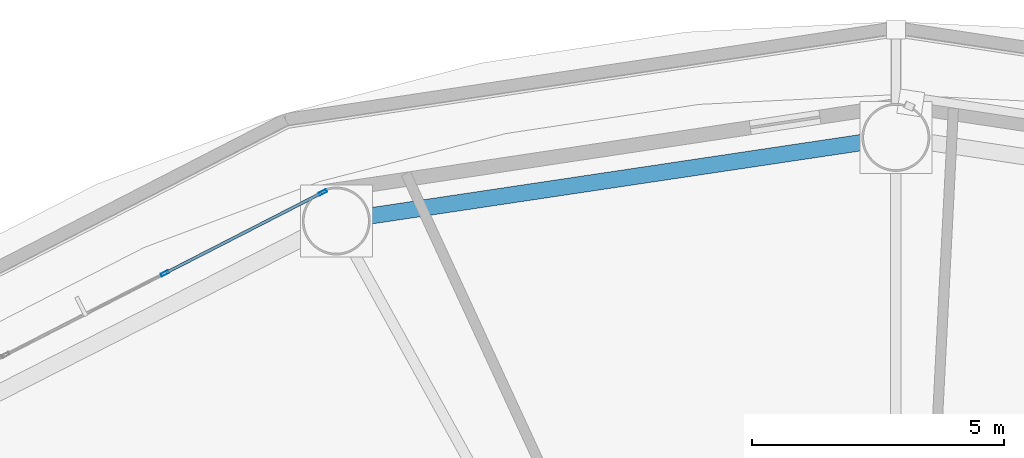
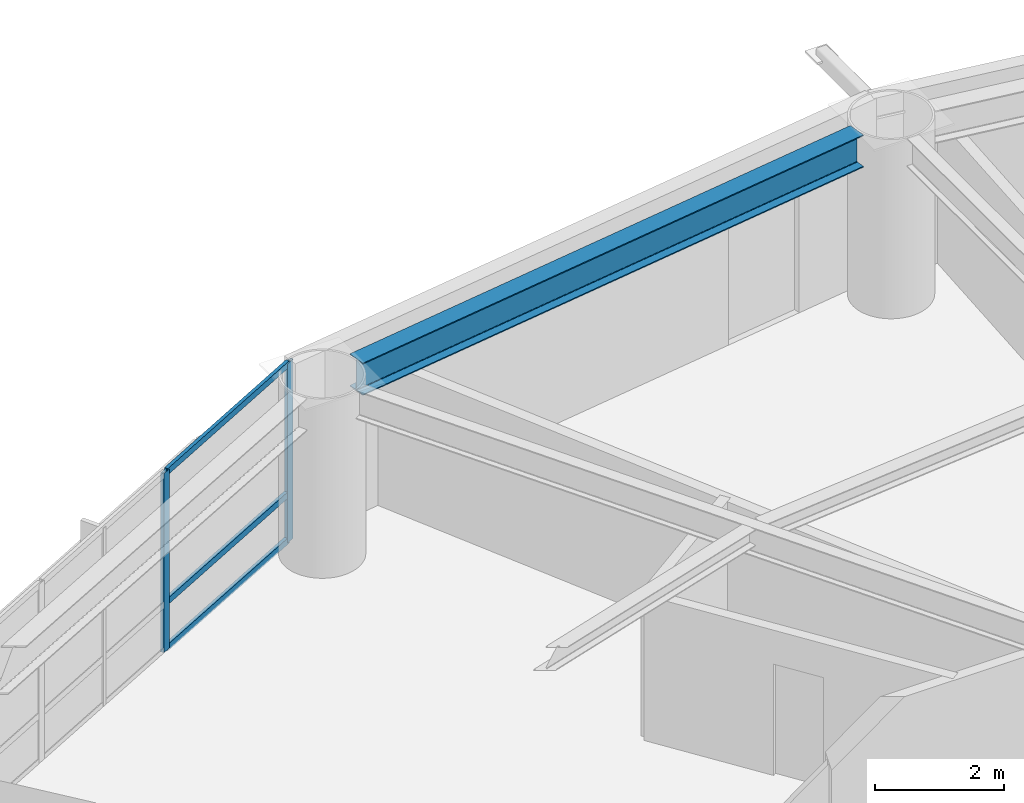
# One storey, part 10 of 25: 5 members, 1 beam, 1 element without a shape of its own.
"""IFC4 building model written with IfcOpenShell, lengths in metres."""

from ifc_helpers import new_model, si_unit, direction, frame, origin, origin_2d, place, context, subcontext, project, spatial, hollow_rectangle, i_section, extrude, material, layer, layer_set, material_profile, profile_set, type_object, element, aggregate, save


model = new_model("IFC4")

# Units and contexts
model_context = context("Model", 3, precision=1e-05, world=origin(), true_north=direction((0.0, 1.0)))
body_context = subcontext(model_context, "Body", "Model", "MODEL_VIEW")
ifc_project = project(units=[si_unit("LENGTHUNIT", "METRE"), si_unit("AREAUNIT", "SQUARE_METRE"), si_unit("VOLUMEUNIT", "CUBIC_METRE"), si_unit("PLANEANGLEUNIT", "RADIAN"), si_unit("MASSUNIT", "GRAM", prefix="KILO")], contexts=[model_context])

# Site, building, storey
site_placement = place(None, origin())
site = spatial("IfcSite", under=ifc_project, at=site_placement, CompositionType="ELEMENT")
building_placement = place(site_placement, origin())
building = spatial("IfcBuilding", under=site, at=building_placement, Name="Sarneth Arch Tower", CompositionType="ELEMENT")
storey_placement = place(building_placement, frame((0.0, 0.0, 84.0)))
storey = spatial("IfcBuildingStorey", under=building, at=storey_placement, Name="L20", CompositionType="ELEMENT", Elevation=84.0)

# Beam
ifc_material_1 = material(Name="Steel S355", Category="steel")
ifc_material_profile_1 = material_profile(ifc_material_1, i_section(OverallWidth=0.323974609375, OverallDepth=0.611083984375, WebThickness=0.0126953125, FlangeThickness=0.01904296875, FilletRadius=0.01904296875, at=origin_2d()), Name="W610x155")
ifc_profile_set_1 = profile_set([ifc_material_profile_1], Name="Steel S355")
beam_type = type_object("IfcBeamType", Name="BM-SPAN-610B", PredefinedType="SPANDREL", material=ifc_profile_set_1)
beam_placement = place(storey_placement, frame((47.33251953125, 63.7001953125, 3.074462890625), z_axis=(-0.989029828744, -0.147715936359, 0.0), x_axis=(0.147715936359, -0.989029828744, 0.0)))
element("IfcBeam", 1, at=beam_placement, inside=storey, type_object=beam_type, Name="L20 Perimeter spandrel beam 05", PredefinedType="SPANDREL", context=body_context, shape_type="SweptSolid", body=[
    extrude(i_section(OverallWidth=0.323974609375, OverallDepth=0.611083984375, WebThickness=0.0126953125, FlangeThickness=0.01904296875, FilletRadius=0.01904296875, at=origin_2d()), origin(), (0.0, 0.0, 1.0), 9.883544921875),
])

# Curtain wall, members
ifc_material_2 = material(Name="Anodised aluminium Type AA25 and solar-control low-e laminated IGU", Category="aluminium")
ifc_layer = layer(ifc_material_2, 0.159912109375)
ifc_layer_set = layer_set([ifc_layer], Name="Anodised aluminium Type AA25 and solar-control low-e laminated IGU")
curtain_wall_type = type_object("IfcCurtainWallType", Name="CW-HOTEL-MID", PredefinedType="NOTDEFINED", material=ifc_layer_set)
curtain_wall_placement = place(storey_placement, origin())
curtain_wall = element("IfcCurtainWall", 2, at=curtain_wall_placement, inside=storey, type_object=curtain_wall_type, Name="L20 Unitised curtain wall facet 06", PredefinedType="NOTDEFINED")
ifc_material_3 = material(Name="Anodised Aluminium 6063-T6", Category="aluminium")
ifc_material_profile_2 = material_profile(ifc_material_3, hollow_rectangle(XDim=0.06005859375, YDim=0.159912109375, WallThickness=0.00390625, at=origin_2d()), Name="AL-MULL-160x60x4")
ifc_profile_set_2 = profile_set([ifc_material_profile_2], Name="Anodised Aluminium 6063-T6")
member_type_1 = type_object("IfcMemberType", Name="CW-MULLION", PredefinedType="MULLION", material=ifc_profile_set_2)
member_1_placement = place(storey_placement, frame((36.6220703125, 62.708984375, 0.0), z_axis=(0.0, 0.0, 1.0), x_axis=(0.456031365356, -0.889963703649, 0.0)))
member_1 = element("IfcMember", 3, at=member_1_placement, type_object=member_type_1, Name="CW-SYS-4 mullion 1", PredefinedType="MULLION", context=body_context, shape_type="SweptSolid", body=[
    extrude(hollow_rectangle(XDim=0.06005859375, YDim=0.159912109375, WallThickness=0.00390625, at=origin_2d()), origin(), (0.0, 0.0, 1.0), 3.3798828125),
])
member_2_placement = place(storey_placement, frame((33.48583984375, 61.101806640625, 0.0), z_axis=(0.0, 0.0, 1.0), x_axis=(0.456031365356, -0.889963703649, 0.0)))
member_2 = element("IfcMember", 4, at=member_2_placement, type_object=member_type_1, Name="CW-SYS-4 mullion 2", PredefinedType="MULLION", context=body_context, shape_type="SweptSolid", body=[
    extrude(hollow_rectangle(XDim=0.06005859375, YDim=0.159912109375, WallThickness=0.00390625, at=origin_2d()), origin(), (0.0, 0.0, 1.0), 3.3798828125),
])
ifc_material_4 = material(Name="Anodised Aluminium 6063-T6", Category="aluminium")
ifc_material_profile_3 = material_profile(ifc_material_4, hollow_rectangle(XDim=0.06005859375, YDim=0.1201171875, WallThickness=0.00390625, at=origin_2d()), Name="AL-TRAN-120x60x4")
ifc_profile_set_3 = profile_set([ifc_material_profile_3], Name="Anodised Aluminium 6063-T6")
member_type_2 = type_object("IfcMemberType", Name="CW-TRANSOM", PredefinedType="USERDEFINED", material=ifc_profile_set_3)
member_3_placement = place(storey_placement, frame((36.595458984375, 62.6953125, 0.030029296875), z_axis=(-0.889957563627, -0.456043347658, 0.0), x_axis=(0.456043347658, -0.889957563627, 0.0)))
member_3 = element("IfcMember", 5, at=member_3_placement, type_object=member_type_2, Name="CW-SYS-4 transom 1.1", ObjectType="TRANSOM", PredefinedType="USERDEFINED", context=body_context, shape_type="SweptSolid", body=[
    extrude(hollow_rectangle(XDim=0.06005859375, YDim=0.1201171875, WallThickness=0.00390625, at=origin_2d()), origin(), (0.0, 0.0, 1.0), 3.464111328125),
])
member_4_placement = place(storey_placement, frame((36.595458984375, 62.6953125, 0.89990234375), z_axis=(-0.889957563627, -0.456043347658, 0.0), x_axis=(0.456043347658, -0.889957563627, 0.0)))
member_4 = element("IfcMember", 6, at=member_4_placement, type_object=member_type_2, Name="CW-SYS-4 transom 1.2", ObjectType="TRANSOM", PredefinedType="USERDEFINED", context=body_context, shape_type="SweptSolid", body=[
    extrude(hollow_rectangle(XDim=0.06005859375, YDim=0.1201171875, WallThickness=0.00390625, at=origin_2d()), origin(), (0.0, 0.0, 1.0), 3.464111328125),
])
member_5_placement = place(storey_placement, frame((36.595458984375, 62.6953125, 3.35009765625), z_axis=(-0.889957563627, -0.456043347658, 0.0), x_axis=(0.456043347658, -0.889957563627, 0.0)))
member_5 = element("IfcMember", 7, at=member_5_placement, type_object=member_type_2, Name="CW-SYS-4 transom 1.3", ObjectType="TRANSOM", PredefinedType="USERDEFINED", context=body_context, shape_type="SweptSolid", body=[
    extrude(hollow_rectangle(XDim=0.06005859375, YDim=0.1201171875, WallThickness=0.00390625, at=origin_2d()), origin(), (0.0, 0.0, 1.0), 3.464111328125),
])
aggregate(curtain_wall, [member_1, member_2, member_3, member_4, member_5])

save(model, "model.ifc")
